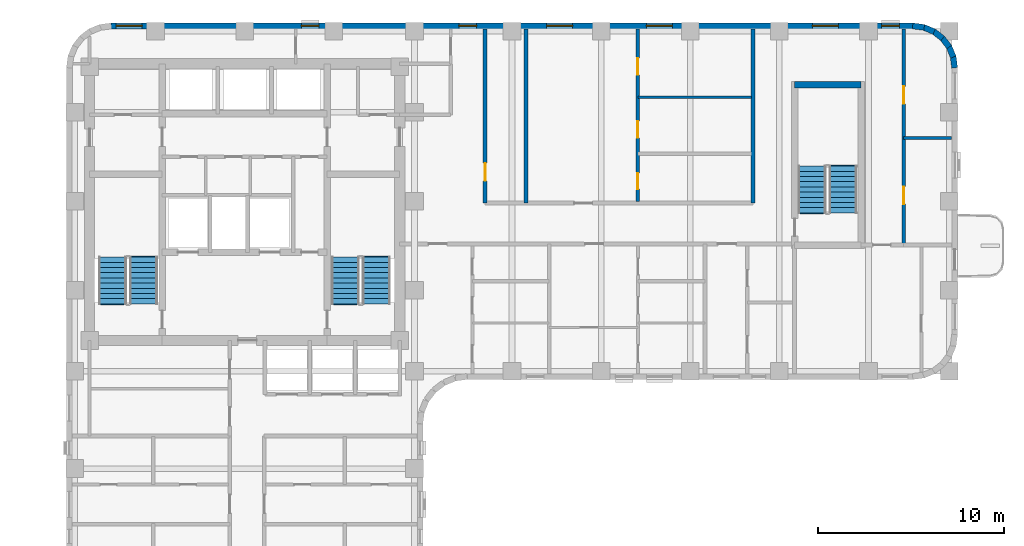
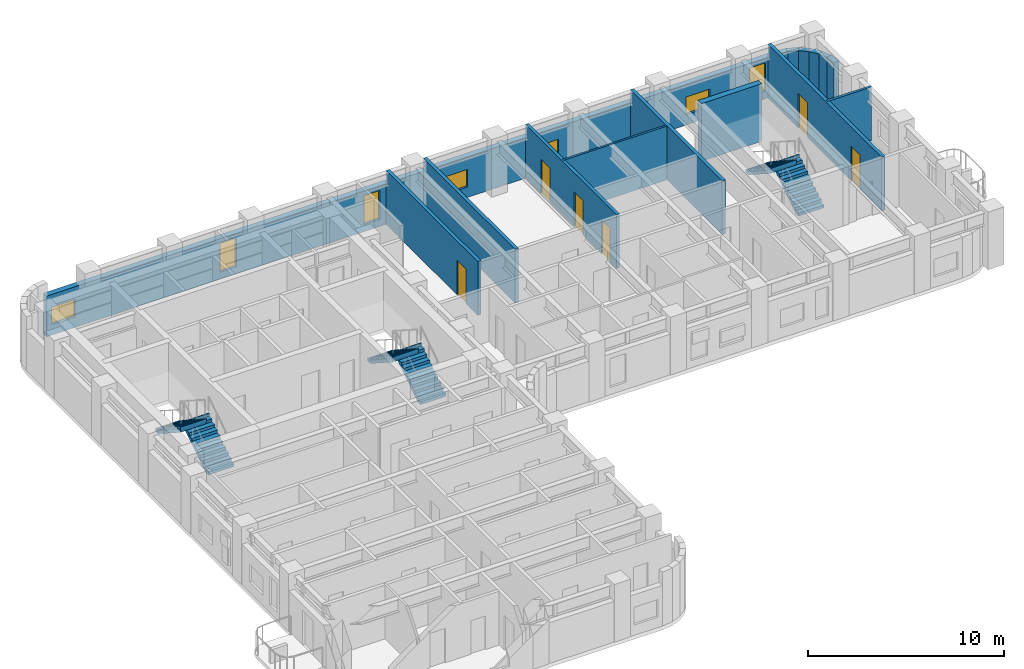
# One storey, part 7 of 10: 15 walls, 7 windows, 6 doors, 6 stair flights, 13 openings, 3 elements without a shape of their own.
"""IFC4 building model written with IfcOpenShell, lengths in metres."""

from ifc_helpers import new_model, si_unit, direction, frame, frame_2d, origin, place, context, subcontext, project, spatial, polyline, rectangle, outline, extrude, material, layer, layer_set, type_object, element, fill, aggregate, save


model = new_model("IFC4")

# Units and contexts
model_context = context("Model", 3, precision=1e-05, world=origin(), true_north=direction((0.0, 1.0)))
body_context = subcontext(model_context, "Body", "Model", "MODEL_VIEW")
ifc_project = project(units=[si_unit("LENGTHUNIT", "METRE"), si_unit("AREAUNIT", "SQUARE_METRE"), si_unit("VOLUMEUNIT", "CUBIC_METRE"), si_unit("PLANEANGLEUNIT", "RADIAN"), si_unit("MASSUNIT", "GRAM", prefix="KILO")], contexts=[model_context])

# Site, building, storey
site_placement = place(None, origin())
site = spatial("IfcSite", under=ifc_project, at=site_placement, CompositionType="ELEMENT")
building_placement = place(site_placement, origin())
building = spatial("IfcBuilding", under=site, at=building_placement, Name="Orvandelia Arch Residences", CompositionType="ELEMENT")
storey_placement = place(building_placement, frame((0.0, 0.0, 114.39990234375)))
storey = spatial("IfcBuildingStorey", under=building, at=storey_placement, Name="L29", CompositionType="ELEMENT", Elevation=114.39990234375)

# Wall
ifc_material_1 = material(Name="Concrete C50/60", Category="concrete")
ifc_layer_1 = layer(ifc_material_1, 0.35009765625, Name="Concrete C50/60", Category="concrete")
ifc_layer_set_1 = layer_set([ifc_layer_1], Name="Concrete C50/60")
wall_type_1 = type_object("IfcWallType", Name="WL-CORE-350", PredefinedType="SHEAR", material=ifc_layer_set_1)
wall_1_placement = place(storey_placement, frame((44.02001953125, 44.659912109375, 0.0), z_axis=(0.0, 0.0, 1.0), x_axis=(1.0, 0.0, 0.0)))
element("IfcWall", 1, at=wall_1_placement, inside=storey, type_object=wall_type_1, Name="East Stair Core Shear Wall L29-N", PredefinedType="SHEAR", context=body_context, shape_type="SweptSolid", body=[
    extrude(rectangle(XDim=3.580078125, YDim=0.35009765625, at=frame_2d((1.7900390625, 0.0))), origin(), (0.0, 0.0, 1.0), 3.60009765625),
])

# Wall, opening, door
ifc_material_2 = material(Name="Fire-Rated Corridor Partition")
ifc_layer_2 = layer(ifc_material_2, 0.199951171875, Name="Fire-Rated Corridor Partition")
ifc_layer_set_2 = layer_set([ifc_layer_2], Name="Fire-Rated Corridor Partition")
wall_type_2 = type_object("IfcWallType", Name="WL-CORR-200", PredefinedType="PARTITIONING", material=ifc_layer_set_2)
wall_2_placement = place(storey_placement, frame((27.35009765625, 38.300048828125, 0.0), z_axis=(0.0, 0.0, 1.0), x_axis=(0.0, 1.0, 0.0)))
wall_2 = element("IfcWall", 2, at=wall_2_placement, inside=storey, type_object=wall_type_2, Name="Interior Partition Wall WL-L29-EM-NCE", PredefinedType="PARTITIONING", context=body_context, shape_type="SweptSolid", body=[
    extrude(rectangle(XDim=9.3798828125, YDim=0.199951171875, at=frame_2d((4.68994140625, 0.0))), origin(), (0.0, 0.0, 1.0), 3.360107421875),
])
opening_1_placement = place(wall_2_placement, frame((1.199951171875, 0.0, 0.0)))
opening_1 = element("IfcOpeningElement", 3, at=opening_1_placement, cuts=wall_2, Name="Opening D2", PredefinedType="OPENING", context=body_context, shape_type="SweptSolid", body=[
    extrude(rectangle(XDim=0.949951171875, YDim=2.14990234375, at=frame_2d((0.47509765625, 1.074951171875))), frame((0.0, 0.10986328125, 0.0), z_axis=(0.0, -1.0, 0.0), x_axis=(1.0, 0.0, 0.0)), (0.0, 0.0, 1.0), 0.219970703125),
])
ifc_material_3 = material(Name="Solid-Core Timber Interior Fire Door", Category="wood")
door_type_1 = type_object("IfcDoorType", Name="DR-APT-950", OperationType="NOTDEFINED", PredefinedType="DOOR", material=ifc_material_3)
door_1_placement = place(opening_1_placement, origin())
door_1 = element("IfcDoor", 4, at=door_1_placement, inside=storey, type_object=door_type_1, Name="DR-L29-LDY", OperationType="SINGLE_SWING_RIGHT", OverallHeight=2.14990234375, OverallWidth=0.949951171875, PredefinedType="DOOR", context=body_context, shape_type="SweptSolid", body=[
    extrude(rectangle(XDim=0.949951171875, YDim=2.14990234375, at=frame_2d((0.47509765625, 1.074951171875))), frame((0.0, 0.02490234375, 0.0), z_axis=(0.0, -1.0, 0.0), x_axis=(1.0, 0.0, 0.0)), (0.0, 0.0, 1.0), 0.050048828125),
])
fill(opening_1, door_1)

# Wall
wall_3_placement = place(storey_placement, frame((41.780029296875, 38.300048828125, 0.0), z_axis=(0.0, 0.0, 1.0), x_axis=(0.0, 1.0, 0.0)))
element("IfcWall", 5, at=wall_3_placement, inside=storey, type_object=wall_type_2, Name="Interior Partition Wall WL-L29-ETV-W", PredefinedType="PARTITIONING", context=body_context, shape_type="SweptSolid", body=[
    extrude(rectangle(XDim=9.3798828125, YDim=0.199951171875, at=frame_2d((4.68994140625, 0.0))), origin(), (0.0, 0.0, 1.0), 3.360107421875),
])

# Wall, openings, doors
wall_4_placement = place(storey_placement, frame((49.89990234375, 36.0400390625, 0.0), z_axis=(0.0, 0.0, 1.0), x_axis=(0.0, 1.0, 0.0)))
wall_4 = element("IfcWall", 6, at=wall_4_placement, inside=storey, type_object=wall_type_2, Name="Interior Partition Wall WL-L29-ETE-E", PredefinedType="PARTITIONING", context=body_context, shape_type="SweptSolid", body=[
    extrude(rectangle(XDim=11.639892578125, YDim=0.199951171875, at=frame_2d((5.81982421875, 0.0))), origin(), (0.0, 0.0, 1.0), 3.360107421875),
])
opening_2_placement = place(wall_4_placement, frame((2.199951171875, 0.0, 0.0)))
opening_2 = element("IfcOpeningElement", 7, at=opening_2_placement, cuts=wall_4, Name="Opening D2", PredefinedType="OPENING", context=body_context, shape_type="SweptSolid", body=[
    extrude(rectangle(XDim=0.949951171875, YDim=2.14990234375, at=frame_2d((0.47509765625, 1.074951171875))), frame((0.0, 0.10986328125, 0.0), z_axis=(0.0, -1.0, 0.0), x_axis=(1.0, 0.0, 0.0)), (0.0, 0.0, 1.0), 0.219970703125),
])
opening_3_placement = place(wall_4_placement, frame((7.60009765625, 0.0, 0.0)))
opening_3 = element("IfcOpeningElement", 8, at=opening_3_placement, cuts=wall_4, Name="Opening D2", PredefinedType="OPENING", context=body_context, shape_type="SweptSolid", body=[
    extrude(rectangle(XDim=0.949951171875, YDim=2.14990234375, at=frame_2d((0.47509765625, 1.074951171875))), frame((0.0, 0.10986328125, 0.0), z_axis=(0.0, -1.0, 0.0), x_axis=(1.0, 0.0, 0.0)), (0.0, 0.0, 1.0), 0.219970703125),
])
door_2_placement = place(opening_2_placement, origin())
door_2 = element("IfcDoor", 9, at=door_2_placement, inside=storey, type_object=door_type_1, Name="DR-L29-EMTP1", OperationType="SINGLE_SWING_LEFT", OverallHeight=2.14990234375, OverallWidth=0.949951171875, PredefinedType="DOOR", context=body_context, shape_type="SweptSolid", body=[
    extrude(rectangle(XDim=0.949951171875, YDim=2.14990234375, at=frame_2d((0.47509765625, 1.074951171875))), frame((0.0, 0.02490234375, 0.0), z_axis=(0.0, -1.0, 0.0), x_axis=(1.0, 0.0, 0.0)), (0.0, 0.0, 1.0), 0.050048828125),
])
fill(opening_2, door_2)
door_3_placement = place(opening_3_placement, origin())
door_3 = element("IfcDoor", 10, at=door_3_placement, inside=storey, type_object=door_type_1, Name="DR-L29-EMTP2", OperationType="SINGLE_SWING_RIGHT", OverallHeight=2.14990234375, OverallWidth=0.949951171875, PredefinedType="DOOR", context=body_context, shape_type="SweptSolid", body=[
    extrude(rectangle(XDim=0.949951171875, YDim=2.14990234375, at=frame_2d((0.47509765625, 1.074951171875))), frame((0.0, 0.02490234375, 0.0), z_axis=(0.0, -1.0, 0.0), x_axis=(1.0, 0.0, 0.0)), (0.0, 0.0, 1.0), 0.050048828125),
])
fill(opening_3, door_3)

# Wall
ifc_material_4 = material(Name="Concrete C40/50", Category="concrete")
ifc_layer_3 = layer(ifc_material_4, 0.199951171875, Name="Concrete C40/50", Category="concrete")
ifc_layer_set_3 = layer_set([ifc_layer_3], Name="Concrete C40/50")
wall_type_3 = type_object("IfcWallType", Name="WL-DEM-200", PredefinedType="SOLIDWALL", material=ifc_layer_set_3)
wall_5_placement = place(storey_placement, frame((29.550048828125, 38.300048828125, 0.0), z_axis=(0.0, 0.0, 1.0), x_axis=(0.0, 1.0, 0.0)))
element("IfcWall", 11, at=wall_5_placement, inside=storey, type_object=wall_type_3, Name="Interior Partition Wall WL-L29-EM-LDE", PredefinedType="SOLIDWALL", context=body_context, shape_type="SweptSolid", body=[
    extrude(rectangle(XDim=9.3798828125, YDim=0.199951171875, at=frame_2d((4.68994140625, 0.0))), origin(), (0.0, 0.0, 1.0), 3.360107421875),
])

# Wall, openings, windows
ifc_material_5 = material(Name="Precast concrete C40/50", Category="concrete")
ifc_layer_4 = layer(ifc_material_5, 0.320068359375, Name="Precast concrete C40/50", Category="concrete")
ifc_layer_set_4 = layer_set([ifc_layer_4], Name="Precast concrete C40/50")
wall_type_4 = type_object("IfcWallType", Name="WL-EXT-STONE-320", PredefinedType="STANDARD", material=ifc_layer_set_4)
wall_6_placement = place(storey_placement, frame((7.199951171875, 47.840087890625, 0.0), z_axis=(0.0, 0.0, 1.0), x_axis=(1.0, 0.0, 0.0)))
wall_6 = element("IfcWall", 12, at=wall_6_placement, inside=storey, type_object=wall_type_4, Name="Coral-Limestone Precast Facade Wall L29-007", PredefinedType="STANDARD", context=body_context, shape_type="SweptSolid", body=[
    extrude(rectangle(XDim=43.199951171875, YDim=0.320068359375, at=frame_2d((21.60009765625, 0.0))), origin(), (0.0, 0.0, 1.0), 2.5400390625),
])
opening_4_placement = place(wall_6_placement, frame((28.841064453125, 0.0, 0.64990234375)))
opening_4 = element("IfcOpeningElement", 13, at=opening_4_placement, cuts=wall_6, Name="Opening W10", PredefinedType="OPENING", context=body_context, shape_type="SweptSolid", body=[
    extrude(rectangle(XDim=1.39990234375, YDim=1.10009765625, at=frame_2d((0.699951171875, 0.550048828125))), frame((0.0, 0.169921875, 0.0), z_axis=(0.0, -1.0, 0.0), x_axis=(1.0, 0.0, 0.0)), (0.0, 0.0, 1.0), 0.340087890625),
])
opening_5_placement = place(wall_6_placement, frame((18.739990234375, 0.0, 0.449951171875)))
opening_5 = element("IfcOpeningElement", 14, at=opening_5_placement, cuts=wall_6, Name="Opening W4", PredefinedType="OPENING", context=body_context, shape_type="SweptSolid", body=[
    extrude(rectangle(XDim=0.949951171875, YDim=1.800048828125, at=frame_2d((0.47509765625, 0.89990234375))), frame((0.0, 0.169921875, 0.0), z_axis=(0.0, -1.0, 0.0), x_axis=(1.0, 0.0, 0.0)), (0.0, 0.0, 1.0), 0.340087890625),
])
opening_6_placement = place(wall_6_placement, frame((41.512451171875, 0.0, 0.449951171875)))
opening_6 = element("IfcOpeningElement", 15, at=opening_6_placement, cuts=wall_6, Name="Opening W4", PredefinedType="OPENING", context=body_context, shape_type="SweptSolid", body=[
    extrude(rectangle(XDim=0.949951171875, YDim=1.800048828125, at=frame_2d((0.47509765625, 0.89990234375))), frame((0.0, 0.169921875, 0.0), z_axis=(0.0, -1.0, 0.0), x_axis=(1.0, 0.0, 0.0)), (0.0, 0.0, 1.0), 0.340087890625),
])
opening_7_placement = place(wall_6_placement, frame((37.7734375, 0.0, 0.64990234375)))
opening_7 = element("IfcOpeningElement", 16, at=opening_7_placement, cuts=wall_6, Name="Opening W10", PredefinedType="OPENING", context=body_context, shape_type="SweptSolid", body=[
    extrude(rectangle(XDim=1.39990234375, YDim=1.10009765625, at=frame_2d((0.699951171875, 0.550048828125))), frame((0.0, 0.169921875, 0.0), z_axis=(0.0, -1.0, 0.0), x_axis=(1.0, 0.0, 0.0)), (0.0, 0.0, 1.0), 0.340087890625),
])
opening_8_placement = place(wall_6_placement, frame((0.282470703125, 0.0, 0.64990234375)))
opening_8 = element("IfcOpeningElement", 17, at=opening_8_placement, cuts=wall_6, Name="Opening W10", PredefinedType="OPENING", context=body_context, shape_type="SweptSolid", body=[
    extrude(rectangle(XDim=1.39990234375, YDim=1.10009765625, at=frame_2d((0.699951171875, 0.550048828125))), frame((0.0, 0.169921875, 0.0), z_axis=(0.0, -1.0, 0.0), x_axis=(1.0, 0.0, 0.0)), (0.0, 0.0, 1.0), 0.340087890625),
])
opening_9_placement = place(wall_6_placement, frame((10.25244140625, 0.0, 0.449951171875)))
opening_9 = element("IfcOpeningElement", 18, at=opening_9_placement, cuts=wall_6, Name="Opening W4", PredefinedType="OPENING", context=body_context, shape_type="SweptSolid", body=[
    extrude(rectangle(XDim=0.949951171875, YDim=1.800048828125, at=frame_2d((0.47509765625, 0.89990234375))), frame((0.0, 0.169921875, 0.0), z_axis=(0.0, -1.0, 0.0), x_axis=(1.0, 0.0, 0.0)), (0.0, 0.0, 1.0), 0.340087890625),
])
opening_10_placement = place(wall_6_placement, frame((23.467529296875, 0.0, 0.64990234375)))
opening_10 = element("IfcOpeningElement", 19, at=opening_10_placement, cuts=wall_6, Name="Opening W10", PredefinedType="OPENING", context=body_context, shape_type="SweptSolid", body=[
    extrude(rectangle(XDim=1.39990234375, YDim=1.10009765625, at=frame_2d((0.699951171875, 0.550048828125))), frame((0.0, 0.169921875, 0.0), z_axis=(0.0, -1.0, 0.0), x_axis=(1.0, 0.0, 0.0)), (0.0, 0.0, 1.0), 0.340087890625),
])
ifc_material_6 = material(Name="Tempered Low-E Insulated Glazing", Category="glass")
window_type_1 = type_object("IfcWindowType", Name="WIN-CLR-1400x1100", PartitioningType="SINGLE_PANEL", PredefinedType="WINDOW", material=ifc_material_6)
window_1_placement = place(opening_4_placement, origin())
window_1 = element("IfcWindow", 20, at=window_1_placement, inside=storey, type_object=window_type_1, Name="Recessed Punched Window L29-001", OverallHeight=1.10009765625, OverallWidth=1.39990234375, PartitioningType="SINGLE_PANEL", PredefinedType="WINDOW", context=body_context, shape_type="SweptSolid", body=[
    extrude(rectangle(XDim=1.39990234375, YDim=1.10009765625, at=frame_2d((0.699951171875, 0.550048828125))), frame((0.0, 0.030029296875, 0.0), z_axis=(0.0, -1.0, 0.0), x_axis=(1.0, 0.0, 0.0)), (0.0, 0.0, 1.0), 0.06005859375),
])
fill(opening_4, window_1)
window_2_placement = place(opening_7_placement, origin())
window_2 = element("IfcWindow", 21, at=window_2_placement, inside=storey, type_object=window_type_1, Name="Recessed Punched Window L29-004", OverallHeight=1.10009765625, OverallWidth=1.39990234375, PartitioningType="SINGLE_PANEL", PredefinedType="WINDOW", context=body_context, shape_type="SweptSolid", body=[
    extrude(rectangle(XDim=1.39990234375, YDim=1.10009765625, at=frame_2d((0.699951171875, 0.550048828125))), frame((0.0, 0.030029296875, 0.0), z_axis=(0.0, -1.0, 0.0), x_axis=(1.0, 0.0, 0.0)), (0.0, 0.0, 1.0), 0.06005859375),
])
fill(opening_7, window_2)
window_3_placement = place(opening_8_placement, origin())
window_3 = element("IfcWindow", 22, at=window_3_placement, inside=storey, type_object=window_type_1, Name="Recessed Punched Window L29-005", OverallHeight=1.10009765625, OverallWidth=1.39990234375, PartitioningType="SINGLE_PANEL", PredefinedType="WINDOW", context=body_context, shape_type="SweptSolid", body=[
    extrude(rectangle(XDim=1.39990234375, YDim=1.10009765625, at=frame_2d((0.699951171875, 0.550048828125))), frame((0.0, 0.030029296875, 0.0), z_axis=(0.0, -1.0, 0.0), x_axis=(1.0, 0.0, 0.0)), (0.0, 0.0, 1.0), 0.06005859375),
])
fill(opening_8, window_3)
window_4_placement = place(opening_10_placement, origin())
window_4 = element("IfcWindow", 23, at=window_4_placement, inside=storey, type_object=window_type_1, Name="Recessed Punched Window L29-007", OverallHeight=1.10009765625, OverallWidth=1.39990234375, PartitioningType="SINGLE_PANEL", PredefinedType="WINDOW", context=body_context, shape_type="SweptSolid", body=[
    extrude(rectangle(XDim=1.39990234375, YDim=1.10009765625, at=frame_2d((0.699951171875, 0.550048828125))), frame((0.0, 0.030029296875, 0.0), z_axis=(0.0, -1.0, 0.0), x_axis=(1.0, 0.0, 0.0)), (0.0, 0.0, 1.0), 0.06005859375),
])
fill(opening_10, window_4)
window_type_2 = type_object("IfcWindowType", Name="WIN-RES-0950x1800", PartitioningType="SINGLE_PANEL", PredefinedType="WINDOW", material=ifc_material_6)
window_5_placement = place(opening_5_placement, origin())
window_5 = element("IfcWindow", 24, at=window_5_placement, inside=storey, type_object=window_type_2, Name="Recessed Punched Window L29-002", OverallHeight=1.800048828125, OverallWidth=0.949951171875, PartitioningType="SINGLE_PANEL", PredefinedType="WINDOW", context=body_context, shape_type="SweptSolid", body=[
    extrude(rectangle(XDim=0.949951171875, YDim=1.800048828125, at=frame_2d((0.47509765625, 0.89990234375))), frame((0.0, 0.030029296875, 0.0), z_axis=(0.0, -1.0, 0.0), x_axis=(1.0, 0.0, 0.0)), (0.0, 0.0, 1.0), 0.06005859375),
])
fill(opening_5, window_5)
window_6_placement = place(opening_6_placement, origin())
window_6 = element("IfcWindow", 25, at=window_6_placement, inside=storey, type_object=window_type_2, Name="Recessed Punched Window L29-003", OverallHeight=1.800048828125, OverallWidth=0.949951171875, PartitioningType="SINGLE_PANEL", PredefinedType="WINDOW", context=body_context, shape_type="SweptSolid", body=[
    extrude(rectangle(XDim=0.949951171875, YDim=1.800048828125, at=frame_2d((0.47509765625, 0.89990234375))), frame((0.0, 0.030029296875, 0.0), z_axis=(0.0, -1.0, 0.0), x_axis=(1.0, 0.0, 0.0)), (0.0, 0.0, 1.0), 0.06005859375),
])
fill(opening_6, window_6)
window_7_placement = place(opening_9_placement, origin())
window_7 = element("IfcWindow", 26, at=window_7_placement, inside=storey, type_object=window_type_2, Name="Recessed Punched Window L29-006", OverallHeight=1.800048828125, OverallWidth=0.949951171875, PartitioningType="SINGLE_PANEL", PredefinedType="WINDOW", context=body_context, shape_type="SweptSolid", body=[
    extrude(rectangle(XDim=0.949951171875, YDim=1.800048828125, at=frame_2d((0.47509765625, 0.89990234375))), frame((0.0, 0.030029296875, 0.0), z_axis=(0.0, -1.0, 0.0), x_axis=(1.0, 0.0, 0.0)), (0.0, 0.0, 1.0), 0.06005859375),
])
fill(opening_9, window_7)

# Walls
for number, where, z_axis, x_axis, name in (
    (27, (50.379150390625, 47.84130859375, 0.0), (0.0, 0.0, 1.0), (0.9914410257, -0.130555323746, 0.0), "Coral-Limestone Precast Facade Wall L29-008"),
    (28, (50.9599609375, 47.7705078125, 0.0), (0.0, 0.0, 1.0), (0.92389335771, -0.382650053678, 0.0), "Coral-Limestone Precast Facade Wall L29-009"),
    (29, (51.502685546875, 47.551513671875, 0.0), (0.0, 0.0, 1.0), (0.793405610854, -0.608693302629, 0.0), "Coral-Limestone Precast Facade Wall L29-010"),
    (30, (51.97021484375, 47.19970703125, 0.0), (0.0, 0.0, 1.0), (0.608693302629, -0.793405610854, 0.0), "Coral-Limestone Precast Facade Wall L29-011"),
    (31, (52.330810546875, 46.73876953125, 0.0), (0.0, 0.0, 1.0), (0.382317370307, -0.924031075431, 0.0), "Coral-Limestone Precast Facade Wall L29-012"),
    (32, (52.5595703125, 46.2001953125, 0.0), (0.0, 0.0, 1.0), (0.130555323746, -0.9914410257, 0.0), "Coral-Limestone Precast Facade Wall L29-013"),
):
    element("IfcWall", number, at=place(storey_placement, frame(where, z_axis=z_axis, x_axis=x_axis)), inside=storey, type_object=wall_type_4, Name=name, PredefinedType="STANDARD", context=body_context, shape_type="SweptSolid", body=[
        extrude(rectangle(XDim=0.62646484375, YDim=0.320068359375, at=frame_2d((0.313232421875, 0.0))), origin(), (0.0, 0.0, 1.0), 2.5400390625),
    ])
ifc_material_7 = material(Name="Lightweight Gypsum Stud Partition")
ifc_layer_5 = layer(ifc_material_7, 0.1201171875, Name="Lightweight Gypsum Stud Partition")
ifc_layer_set_5 = layer_set([ifc_layer_5], Name="Lightweight Gypsum Stud Partition")
wall_type_5 = type_object("IfcWallType", Name="WL-PART-120", PredefinedType="PARTITIONING", material=ifc_layer_set_5)
wall_7_placement = place(storey_placement, frame((35.576904296875, 43.99609375, 0.0), z_axis=(0.0, 0.0, 1.0), x_axis=(1.0, 0.0, 0.0)))
element("IfcWall", 33, at=wall_7_placement, inside=storey, type_object=wall_type_5, Name="Interior Partition Wall WL-L29-U10-H2", PredefinedType="PARTITIONING", context=body_context, shape_type="SweptSolid", body=[
    extrude(rectangle(XDim=6.123046875, YDim=0.1201171875, at=frame_2d((3.0615234375, 0.0))), origin(), (0.0, 0.0, 1.0), 3.360107421875),
])
ifc_material_8 = material(Name="Acoustic Gypsum Stud Partition")
ifc_layer_6 = layer(ifc_material_8, 0.14990234375, Name="Acoustic Gypsum Stud Partition")
ifc_layer_set_6 = layer_set([ifc_layer_6], Name="Acoustic Gypsum Stud Partition")
wall_type_6 = type_object("IfcWallType", Name="WL-PART-150", PredefinedType="PARTITIONING", material=ifc_layer_set_6)
wall_8_placement = place(storey_placement, frame((49.89990234375, 41.800048828125, 0.0), z_axis=(0.0, 0.0, 1.0), x_axis=(1.0, 0.0, 0.0)))
element("IfcWall", 34, at=wall_8_placement, inside=storey, type_object=wall_type_6, Name="Interior Partition Wall WL-L29-EMTIP-M", PredefinedType="PARTITIONING", context=body_context, shape_type="SweptSolid", body=[
    extrude(rectangle(XDim=2.580078125, YDim=0.14990234375, at=frame_2d((1.2900390625, 0.0))), origin(), (0.0, 0.0, 1.0), 3.360107421875),
])

# Wall, openings, doors
ifc_material_9 = material(Name="Moisture-Resistant Plumbing Wall")
ifc_layer_7 = layer(ifc_material_9, 0.179931640625, Name="Moisture-Resistant Plumbing Wall")
ifc_layer_set_7 = layer_set([ifc_layer_7], Name="Moisture-Resistant Plumbing Wall")
wall_type_7 = type_object("IfcWallType", Name="WL-WET-180", PredefinedType="PLUMBINGWALL", material=ifc_layer_set_7)
wall_9_placement = place(storey_placement, frame((35.576904296875, 38.3798828125, 0.0), z_axis=(0.0, 0.0, 1.0), x_axis=(0.0, 1.0, 0.0)))
wall_9 = element("IfcWall", 35, at=wall_9_placement, inside=storey, type_object=wall_type_7, Name="Interior Partition Wall WL-L29-U10-VT", PredefinedType="PLUMBINGWALL", context=body_context, shape_type="SweptSolid", body=[
    extrude(rectangle(XDim=9.300048828125, YDim=0.179931640625, at=frame_2d((4.64990234375, 0.0))), origin(), (0.0, 0.0, 1.0), 3.360107421875),
])
opening_11_placement = place(wall_9_placement, frame((0.66748046875, 0.0, 0.0)))
opening_11 = element("IfcOpeningElement", 36, at=opening_11_placement, cuts=wall_9, Name="Opening D4", PredefinedType="OPENING", context=body_context, shape_type="SweptSolid", body=[
    extrude(rectangle(XDim=0.860107421875, YDim=2.10009765625, at=frame_2d((0.43017578125, 1.050048828125))), frame((0.0, 0.10009765625, 0.0), z_axis=(0.0, -1.0, 0.0), x_axis=(1.0, 0.0, 0.0)), (0.0, 0.0, 1.0), 0.199951171875),
])
opening_12_placement = place(wall_9_placement, frame((3.430419921875, 0.0, 0.0)))
opening_12 = element("IfcOpeningElement", 37, at=opening_12_placement, cuts=wall_9, Name="Opening D3", PredefinedType="OPENING", context=body_context, shape_type="SweptSolid", body=[
    extrude(rectangle(XDim=0.89990234375, YDim=2.14990234375, at=frame_2d((0.449951171875, 1.074951171875))), frame((0.0, 0.10009765625, 0.0), z_axis=(0.0, -1.0, 0.0), x_axis=(1.0, 0.0, 0.0)), (0.0, 0.0, 1.0), 0.199951171875),
])
opening_13_placement = place(wall_9_placement, frame((6.828369140625, 0.0, 0.0)))
opening_13 = element("IfcOpeningElement", 38, at=opening_13_placement, cuts=wall_9, Name="Opening D3", PredefinedType="OPENING", context=body_context, shape_type="SweptSolid", body=[
    extrude(rectangle(XDim=0.89990234375, YDim=2.14990234375, at=frame_2d((0.449951171875, 1.074951171875))), frame((0.0, 0.10009765625, 0.0), z_axis=(0.0, -1.0, 0.0), x_axis=(1.0, 0.0, 0.0)), (0.0, 0.0, 1.0), 0.199951171875),
])
ifc_material_10 = material(Name="Engineered Timber Flush Door", Category="wood")
door_type_2 = type_object("IfcDoorType", Name="DR-INT-900", OperationType="NOTDEFINED", PredefinedType="DOOR", material=ifc_material_10)
door_4_placement = place(opening_12_placement, origin())
door_4 = element("IfcDoor", 39, at=door_4_placement, inside=storey, type_object=door_type_2, Name="DR-L29-U10-KIT", OperationType="SINGLE_SWING_RIGHT", OverallHeight=2.14990234375, OverallWidth=0.89990234375, PredefinedType="DOOR", context=body_context, shape_type="SweptSolid", body=[
    extrude(rectangle(XDim=0.89990234375, YDim=2.14990234375, at=frame_2d((0.449951171875, 1.074951171875))), frame((0.0, 0.02490234375, 0.0), z_axis=(0.0, -1.0, 0.0), x_axis=(1.0, 0.0, 0.0)), (0.0, 0.0, 1.0), 0.050048828125),
])
fill(opening_12, door_4)
door_5_placement = place(opening_13_placement, origin())
door_5 = element("IfcDoor", 40, at=door_5_placement, inside=storey, type_object=door_type_2, Name="DR-L29-U10-BD1", OperationType="SINGLE_SWING_LEFT", OverallHeight=2.14990234375, OverallWidth=0.89990234375, PredefinedType="DOOR", context=body_context, shape_type="SweptSolid", body=[
    extrude(rectangle(XDim=0.89990234375, YDim=2.14990234375, at=frame_2d((0.449951171875, 1.074951171875))), frame((0.0, 0.02490234375, 0.0), z_axis=(0.0, -1.0, 0.0), x_axis=(1.0, 0.0, 0.0)), (0.0, 0.0, 1.0), 0.050048828125),
])
fill(opening_13, door_5)
ifc_material_11 = material(Name="Moisture-Sealed Timber Bathroom Door", Category="wood")
door_type_3 = type_object("IfcDoorType", Name="DR-WET-900", OperationType="NOTDEFINED", PredefinedType="DOOR", material=ifc_material_11)
door_6_placement = place(opening_11_placement, origin())
door_6 = element("IfcDoor", 41, at=door_6_placement, inside=storey, type_object=door_type_3, Name="DR-L29-U10-BTH", OperationType="SINGLE_SWING_LEFT", OverallHeight=2.10009765625, OverallWidth=0.860107421875, PredefinedType="DOOR", context=body_context, shape_type="SweptSolid", body=[
    extrude(rectangle(XDim=0.860107421875, YDim=2.10009765625, at=frame_2d((0.43017578125, 1.050048828125))), frame((0.0, 0.02490234375, 0.0), z_axis=(0.0, -1.0, 0.0), x_axis=(1.0, 0.0, 0.0)), (0.0, 0.0, 1.0), 0.050048828125),
])
fill(opening_11, door_6)

# Stair, stair flights
stair_type = type_object("IfcStairType", Name="STAIR-RC-DOGLEG", PredefinedType="HALF_TURN_STAIR", material=ifc_material_4)
stair_1_placement = place(storey_placement, origin())
stair_1 = element("IfcStair", 42, at=stair_1_placement, inside=storey, type_object=stair_type, Name="L29 Protected Exit Stair ST-1", PredefinedType="HALF_TURN_STAIR")
stair_flight_type = type_object("IfcStairFlightType", Name="STFLT-RC-1520", PredefinedType="STRAIGHT", material=ifc_material_4)
stair_flight_1_placement = place(storey_placement, frame((8.9599609375, 32.8701171875, 0.0), z_axis=(0.0, 0.0, 1.0), x_axis=(0.0, 1.0, 0.0)))
stair_flight_1 = element("IfcStairFlight", 43, at=stair_flight_1_placement, type_object=stair_flight_type, Name="ST-1 flight 1", NumberOfRisers=10, NumberOfTreads=9, PredefinedType="STRAIGHT", RiserHeight=0.18, TreadLength=0.28, context=body_context, shape_type="SweptSolid", body=[
    extrude(outline(polyline([(0.0, 0.0), (0.0, 0.179931640625), (0.280029296875, 0.179931640625), (0.280029296875, 0.360107421875), (0.56005859375, 0.360107421875), (0.56005859375, 0.5400390625), (0.840087890625, 0.5400390625), (0.840087890625, 0.719970703125), (1.1201171875, 0.719970703125), (1.1201171875, 0.89990234375), (1.39990234375, 0.89990234375), (1.39990234375, 1.080078125), (1.679931640625, 1.080078125), (1.679931640625, 1.260009765625), (1.9599609375, 1.260009765625), (1.9599609375, 1.43994140625), (2.239990234375, 1.43994140625), (2.239990234375, 1.6201171875), (2.52001953125, 1.6201171875), (2.52001953125, 1.800048828125), (2.580078125, 1.800048828125), (2.580078125, 1.6201171875), (2.52001953125, 1.44189453125), (0.277099609375, 0.0), (0.0, 0.0)])), frame((0.0, 0.760009765625, 0.0), z_axis=(0.0, -1.0, 0.0), x_axis=(1.0, 0.0, 0.0)), (0.0, 0.0, 1.0), 1.52001953125),
])
stair_flight_2_placement = place(storey_placement, frame((7.2900390625, 35.389892578125, 1.800048828125), z_axis=(0.0, 0.0, 1.0), x_axis=(0.0, -1.0, 0.0)))
stair_flight_2 = element("IfcStairFlight", 44, at=stair_flight_2_placement, type_object=stair_flight_type, Name="ST-1 flight 2", NumberOfRisers=10, NumberOfTreads=9, PredefinedType="STRAIGHT", RiserHeight=0.18, TreadLength=0.28, context=body_context, shape_type="SweptSolid", body=[
    extrude(outline(polyline([(0.0, 0.0), (0.0, 0.179931640625), (0.280029296875, 0.179931640625), (0.280029296875, 0.360107421875), (0.56005859375, 0.360107421875), (0.56005859375, 0.5400390625), (0.840087890625, 0.5400390625), (0.840087890625, 0.719970703125), (1.1201171875, 0.719970703125), (1.1201171875, 0.89990234375), (1.39990234375, 0.89990234375), (1.39990234375, 1.080078125), (1.679931640625, 1.080078125), (1.679931640625, 1.260009765625), (1.9599609375, 1.260009765625), (1.9599609375, 1.43994140625), (2.239990234375, 1.43994140625), (2.239990234375, 1.6201171875), (2.52001953125, 1.6201171875), (2.52001953125, 1.800048828125), (2.580078125, 1.800048828125), (2.580078125, 1.6201171875), (2.52001953125, 1.44189453125), (0.277099609375, 0.0), (0.0, 0.0)])), frame((0.0, 0.760009765625, 0.0), z_axis=(0.0, -1.0, 0.0), x_axis=(1.0, 0.0, 0.0)), (0.0, 0.0, 1.0), 1.52001953125),
])
aggregate(stair_1, [stair_flight_1, stair_flight_2])

stair_2_placement = place(storey_placement, origin())
stair_2 = element("IfcStair", 45, at=stair_2_placement, inside=storey, type_object=stair_type, Name="L29 Protected Exit Stair ST-2", PredefinedType="HALF_TURN_STAIR")
stair_flight_3_placement = place(storey_placement, frame((21.489990234375, 32.8701171875, 0.0), z_axis=(0.0, 0.0, 1.0), x_axis=(0.0, 1.0, 0.0)))
stair_flight_3 = element("IfcStairFlight", 46, at=stair_flight_3_placement, type_object=stair_flight_type, Name="ST-2 flight 1", NumberOfRisers=10, NumberOfTreads=9, PredefinedType="STRAIGHT", RiserHeight=0.18, TreadLength=0.28, context=body_context, shape_type="SweptSolid", body=[
    extrude(outline(polyline([(0.0, 0.0), (0.0, 0.179931640625), (0.280029296875, 0.179931640625), (0.280029296875, 0.360107421875), (0.56005859375, 0.360107421875), (0.56005859375, 0.5400390625), (0.840087890625, 0.5400390625), (0.840087890625, 0.719970703125), (1.1201171875, 0.719970703125), (1.1201171875, 0.89990234375), (1.39990234375, 0.89990234375), (1.39990234375, 1.080078125), (1.679931640625, 1.080078125), (1.679931640625, 1.260009765625), (1.9599609375, 1.260009765625), (1.9599609375, 1.43994140625), (2.239990234375, 1.43994140625), (2.239990234375, 1.6201171875), (2.52001953125, 1.6201171875), (2.52001953125, 1.800048828125), (2.580078125, 1.800048828125), (2.580078125, 1.6201171875), (2.52001953125, 1.44189453125), (0.277099609375, 0.0), (0.0, 0.0)])), frame((0.0, 0.760009765625, 0.0), z_axis=(0.0, -1.0, 0.0), x_axis=(1.0, 0.0, 0.0)), (0.0, 0.0, 1.0), 1.52001953125),
])
stair_flight_4_placement = place(storey_placement, frame((19.820068359375, 35.389892578125, 1.800048828125), z_axis=(0.0, 0.0, 1.0), x_axis=(0.0, -1.0, 0.0)))
stair_flight_4 = element("IfcStairFlight", 47, at=stair_flight_4_placement, type_object=stair_flight_type, Name="ST-2 flight 2", NumberOfRisers=10, NumberOfTreads=9, PredefinedType="STRAIGHT", RiserHeight=0.18, TreadLength=0.28, context=body_context, shape_type="SweptSolid", body=[
    extrude(outline(polyline([(0.0, 0.0), (0.0, 0.179931640625), (0.280029296875, 0.179931640625), (0.280029296875, 0.360107421875), (0.56005859375, 0.360107421875), (0.56005859375, 0.5400390625), (0.840087890625, 0.5400390625), (0.840087890625, 0.719970703125), (1.1201171875, 0.719970703125), (1.1201171875, 0.89990234375), (1.39990234375, 0.89990234375), (1.39990234375, 1.080078125), (1.679931640625, 1.080078125), (1.679931640625, 1.260009765625), (1.9599609375, 1.260009765625), (1.9599609375, 1.43994140625), (2.239990234375, 1.43994140625), (2.239990234375, 1.6201171875), (2.52001953125, 1.6201171875), (2.52001953125, 1.800048828125), (2.580078125, 1.800048828125), (2.580078125, 1.6201171875), (2.52001953125, 1.44189453125), (0.277099609375, 0.0), (0.0, 0.0)])), frame((0.0, 0.760009765625, 0.0), z_axis=(0.0, -1.0, 0.0), x_axis=(1.0, 0.0, 0.0)), (0.0, 0.0, 1.0), 1.52001953125),
])
aggregate(stair_2, [stair_flight_3, stair_flight_4])

stair_3_placement = place(storey_placement, origin())
stair_3 = element("IfcStair", 48, at=stair_3_placement, inside=storey, type_object=stair_type, Name="L29 East Wing Exit Stair ST-3", PredefinedType="HALF_TURN_STAIR")
stair_flight_5_placement = place(storey_placement, frame((46.639892578125, 37.77001953125, 0.0), z_axis=(0.0, 0.0, 1.0), x_axis=(0.0, 1.0, 0.0)))
stair_flight_5 = element("IfcStairFlight", 49, at=stair_flight_5_placement, type_object=stair_flight_type, Name="ST-3 flight 1", NumberOfRisers=10, NumberOfTreads=9, PredefinedType="STRAIGHT", RiserHeight=0.18, TreadLength=0.28, context=body_context, shape_type="SweptSolid", body=[
    extrude(outline(polyline([(0.0, 0.0), (0.0, 0.179931640625), (0.280029296875, 0.179931640625), (0.280029296875, 0.360107421875), (0.56005859375, 0.360107421875), (0.56005859375, 0.5400390625), (0.840087890625, 0.5400390625), (0.840087890625, 0.719970703125), (1.1201171875, 0.719970703125), (1.1201171875, 0.89990234375), (1.39990234375, 0.89990234375), (1.39990234375, 1.080078125), (1.679931640625, 1.080078125), (1.679931640625, 1.260009765625), (1.9599609375, 1.260009765625), (1.9599609375, 1.43994140625), (2.239990234375, 1.43994140625), (2.239990234375, 1.6201171875), (2.52001953125, 1.6201171875), (2.52001953125, 1.800048828125), (2.580078125, 1.800048828125), (2.580078125, 1.6201171875), (2.52001953125, 1.44189453125), (0.277099609375, 0.0), (0.0, 0.0)])), frame((0.0, 0.760009765625, 0.0), z_axis=(0.0, -1.0, 0.0), x_axis=(1.0, 0.0, 0.0)), (0.0, 0.0, 1.0), 1.52001953125),
])
stair_flight_6_placement = place(storey_placement, frame((44.969970703125, 40.2900390625, 1.800048828125), z_axis=(0.0, 0.0, 1.0), x_axis=(0.0, -1.0, 0.0)))
stair_flight_6 = element("IfcStairFlight", 50, at=stair_flight_6_placement, type_object=stair_flight_type, Name="ST-3 flight 2", NumberOfRisers=10, NumberOfTreads=9, PredefinedType="STRAIGHT", RiserHeight=0.18, TreadLength=0.28, context=body_context, shape_type="SweptSolid", body=[
    extrude(outline(polyline([(0.0, 0.0), (0.0, 0.179931640625), (0.280029296875, 0.179931640625), (0.280029296875, 0.360107421875), (0.56005859375, 0.360107421875), (0.56005859375, 0.5400390625), (0.840087890625, 0.5400390625), (0.840087890625, 0.719970703125), (1.1201171875, 0.719970703125), (1.1201171875, 0.89990234375), (1.39990234375, 0.89990234375), (1.39990234375, 1.080078125), (1.679931640625, 1.080078125), (1.679931640625, 1.260009765625), (1.9599609375, 1.260009765625), (1.9599609375, 1.43994140625), (2.239990234375, 1.43994140625), (2.239990234375, 1.6201171875), (2.52001953125, 1.6201171875), (2.52001953125, 1.800048828125), (2.580078125, 1.800048828125), (2.580078125, 1.6201171875), (2.52001953125, 1.44189453125), (0.277099609375, 0.0), (0.0, 0.0)])), frame((0.0, 0.760009765625, 0.0), z_axis=(0.0, -1.0, 0.0), x_axis=(1.0, 0.0, 0.0)), (0.0, 0.0, 1.0), 1.52001953125),
])
aggregate(stair_3, [stair_flight_5, stair_flight_6])

save(model, "model.ifc")
